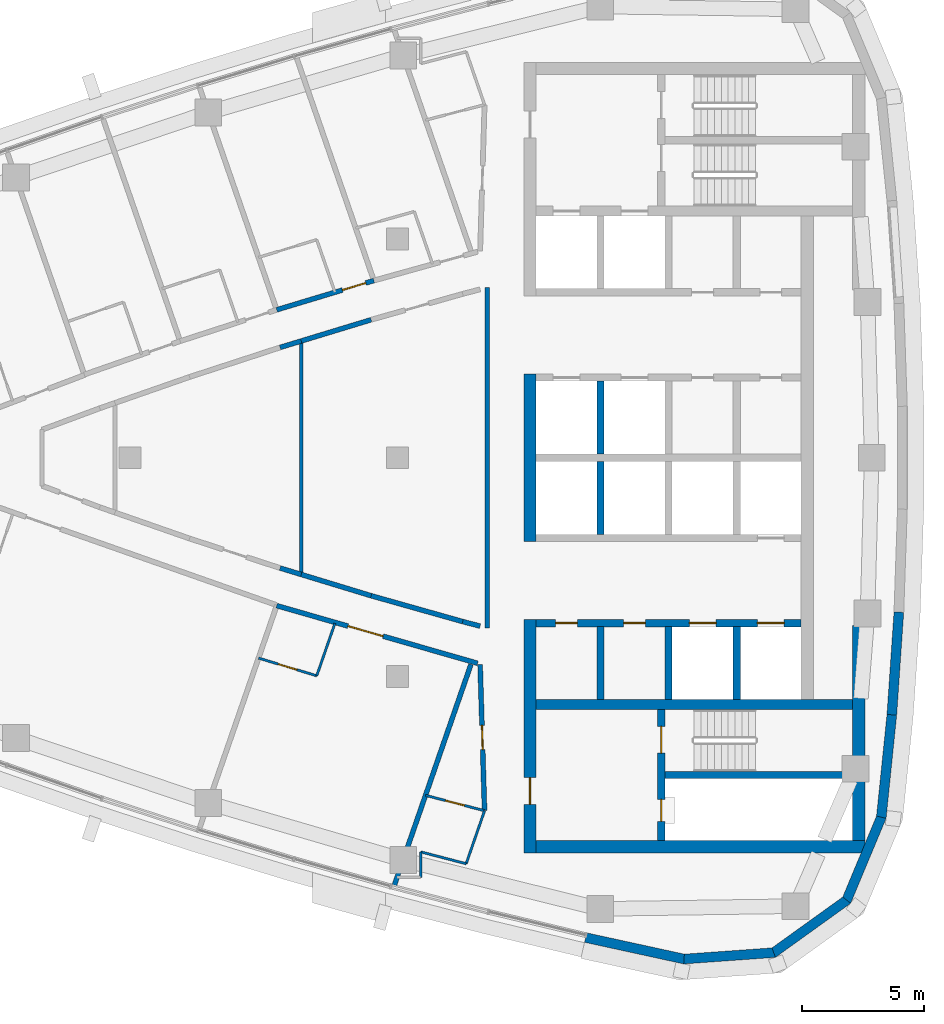
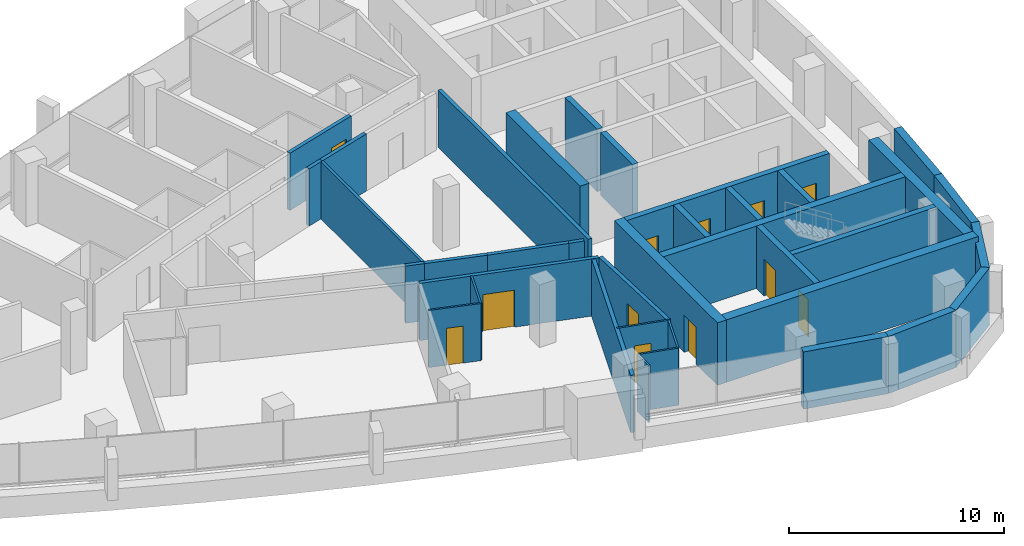
# One storey, part 8 of 14: 37 walls, 12 doors, 12 openings.
"""IFC4 building model written with IfcOpenShell, lengths in metres."""

from ifc_helpers import new_model, si_unit, direction, frame, frame_2d, origin, place, context, subcontext, project, spatial, polyline, rectangle, outline, extrude, material, layer, layer_set, type_object, element, fill, save


model = new_model("IFC4")

# Units and contexts
model_context = context("Model", 3, precision=1e-05, world=origin(), true_north=direction((0.0, 1.0)))
body_context = subcontext(model_context, "Body", "Model", "MODEL_VIEW")
ifc_project = project(units=[si_unit("LENGTHUNIT", "METRE"), si_unit("AREAUNIT", "SQUARE_METRE"), si_unit("VOLUMEUNIT", "CUBIC_METRE"), si_unit("PLANEANGLEUNIT", "RADIAN"), si_unit("MASSUNIT", "GRAM", prefix="KILO")], contexts=[model_context])

# Site, building, storey
site_placement = place(None, origin())
site = spatial("IfcSite", under=ifc_project, at=site_placement, CompositionType="ELEMENT")
building_placement = place(site_placement, origin())
building = spatial("IfcBuilding", under=site, at=building_placement, Name="Ostrand Prow Hotel Tower", CompositionType="ELEMENT")
storey_placement = place(building_placement, frame((0.0, 0.0, 285.64990234375)))
storey = spatial("IfcBuildingStorey", under=building, at=storey_placement, Name="L72", CompositionType="ELEMENT", Elevation=285.64990234375)

# Wall
ifc_material_1 = material(Name="Concrete C50/60", Category="concrete")
ifc_layer_1 = layer(ifc_material_1, 0.300048828125)
ifc_layer_set_1 = layer_set([ifc_layer_1], Name="Concrete C50/60")
wall_type_1 = type_object("IfcWallType", Name="Core wall 300 C50/60", PredefinedType="SHEAR", material=ifc_layer_set_1)
wall_1_placement = place(storey_placement, frame((53.35009765625, 0.14990234375, 0.0), z_axis=(0.0, 0.0, 1.0), x_axis=(0.0, 1.0, 0.0)))
element("IfcWall", 1, at=wall_1_placement, inside=storey, type_object=wall_type_1, Name="Core wall PW-R1-NB", PredefinedType="SHEAR", context=body_context, shape_type="SweptSolid", body=[
    extrude(rectangle(XDim=3.0, YDim=0.300048828125, at=frame_2d((1.5, 0.0))), origin(), (0.0, 0.0, 1.0), 3.550048828125),
])

# Wall, openings, doors
wall_2_placement = place(storey_placement, frame((50.699951171875, -6.800048828125, 0.0), z_axis=(0.0, 0.0, 1.0), x_axis=(1.0, 0.0, 0.0)))
wall_2 = element("IfcWall", 2, at=wall_2_placement, inside=storey, type_object=wall_type_1, Name="Core wall PW-L2-S", PredefinedType="SHEAR", context=body_context, shape_type="SweptSolid", body=[
    extrude(rectangle(XDim=10.900146484375, YDim=0.300048828125, at=frame_2d((5.4501953125, 0.0))), origin(), (0.0, 0.0, 1.0), 3.550048828125),
])
opening_1_placement = place(wall_2_placement, frame((6.300048828125, 0.0, 0.0)))
opening_1 = element("IfcOpeningElement", 3, at=opening_1_placement, cuts=wall_2, Name="Opening LD", PredefinedType="OPENING", context=body_context, shape_type="SweptSolid", body=[
    extrude(rectangle(XDim=1.10009765625, YDim=2.10009765625, at=frame_2d((0.550048828125, 1.050048828125))), frame((0.0, 0.159912109375, 0.0), z_axis=(0.0, -1.0, 0.0), x_axis=(1.0, 0.0, 0.0)), (0.0, 0.0, 1.0), 0.320068359375),
])
opening_2_placement = place(wall_2_placement, frame((9.10009765625, 0.0, 0.0)))
opening_2 = element("IfcOpeningElement", 4, at=opening_2_placement, cuts=wall_2, Name="Opening LD", PredefinedType="OPENING", context=body_context, shape_type="SweptSolid", body=[
    extrude(rectangle(XDim=1.10009765625, YDim=2.10009765625, at=frame_2d((0.550048828125, 1.050048828125))), frame((0.0, 0.159912109375, 0.0), z_axis=(0.0, -1.0, 0.0), x_axis=(1.0, 0.0, 0.0)), (0.0, 0.0, 1.0), 0.320068359375),
])
opening_3_placement = place(wall_2_placement, frame((0.800048828125, 0.0, 0.0)))
opening_3 = element("IfcOpeningElement", 5, at=opening_3_placement, cuts=wall_2, Name="Opening FD2", PredefinedType="OPENING", context=body_context, shape_type="SweptSolid", body=[
    extrude(rectangle(XDim=0.89990234375, YDim=2.10009765625, at=frame_2d((0.449951171875, 1.050048828125))), frame((0.0, 0.159912109375, 0.0), z_axis=(0.0, -1.0, 0.0), x_axis=(1.0, 0.0, 0.0)), (0.0, 0.0, 1.0), 0.320068359375),
])
opening_4_placement = place(wall_2_placement, frame((3.60009765625, 0.0, 0.0)))
opening_4 = element("IfcOpeningElement", 6, at=opening_4_placement, cuts=wall_2, Name="Opening FD2", PredefinedType="OPENING", context=body_context, shape_type="SweptSolid", body=[
    extrude(rectangle(XDim=0.89990234375, YDim=2.10009765625, at=frame_2d((0.449951171875, 1.050048828125))), frame((0.0, 0.159912109375, 0.0), z_axis=(0.0, -1.0, 0.0), x_axis=(1.0, 0.0, 0.0)), (0.0, 0.0, 1.0), 0.320068359375),
])
ifc_material_2 = material(Name="Steel fire door", Category="steel")
door_type_1 = type_object("IfcDoorType", Name="Fire door 900 EI120", OperationType="SINGLE_SWING_LEFT", PredefinedType="DOOR", material=ifc_material_2)
door_1_placement = place(opening_3_placement, origin())
door_1 = element("IfcDoor", 7, at=door_1_placement, inside=storey, type_object=door_type_1, Name="DOOR", OperationType="SINGLE_SWING_LEFT", OverallHeight=2.10009765625, OverallWidth=0.89990234375, PredefinedType="DOOR", context=body_context, shape_type="SweptSolid", body=[
    extrude(rectangle(XDim=0.89990234375, YDim=2.10009765625, at=frame_2d((0.449951171875, 1.050048828125))), frame((0.0, 0.02490234375, 0.0), z_axis=(0.0, -1.0, 0.0), x_axis=(1.0, 0.0, 0.0)), (0.0, 0.0, 1.0), 0.050048828125),
])
fill(opening_3, door_1)
door_2_placement = place(opening_4_placement, origin())
door_2 = element("IfcDoor", 8, at=door_2_placement, inside=storey, type_object=door_type_1, Name="DOOR", OperationType="SINGLE_SWING_LEFT", OverallHeight=2.10009765625, OverallWidth=0.89990234375, PredefinedType="DOOR", context=body_context, shape_type="SweptSolid", body=[
    extrude(rectangle(XDim=0.89990234375, YDim=2.10009765625, at=frame_2d((0.449951171875, 1.050048828125))), frame((0.0, 0.02490234375, 0.0), z_axis=(0.0, -1.0, 0.0), x_axis=(1.0, 0.0, 0.0)), (0.0, 0.0, 1.0), 0.050048828125),
])
fill(opening_4, door_2)
ifc_material_3 = material(Name="Stainless steel door", Category="steel")
door_type_2 = type_object("IfcDoorType", Name="Lift landing door 1100", OperationType="DOUBLE_DOOR_SLIDING", PredefinedType="DOOR", material=ifc_material_3)
door_3_placement = place(opening_1_placement, origin())
door_3 = element("IfcDoor", 9, at=door_3_placement, inside=storey, type_object=door_type_2, Name="LIFT LANDING DOOR", OperationType="DOUBLE_DOOR_SLIDING", OverallHeight=2.10009765625, OverallWidth=1.10009765625, PredefinedType="DOOR", context=body_context, shape_type="SweptSolid", body=[
    extrude(rectangle(XDim=1.10009765625, YDim=2.10009765625, at=frame_2d((0.550048828125, 1.050048828125))), frame((0.0, 0.02490234375, 0.0), z_axis=(0.0, -1.0, 0.0), x_axis=(1.0, 0.0, 0.0)), (0.0, 0.0, 1.0), 0.050048828125),
])
fill(opening_1, door_3)
door_4_placement = place(opening_2_placement, origin())
door_4 = element("IfcDoor", 10, at=door_4_placement, inside=storey, type_object=door_type_2, Name="LIFT LANDING DOOR", OperationType="DOUBLE_DOOR_SLIDING", OverallHeight=2.10009765625, OverallWidth=1.10009765625, PredefinedType="DOOR", context=body_context, shape_type="SweptSolid", body=[
    extrude(rectangle(XDim=1.10009765625, YDim=2.10009765625, at=frame_2d((0.550048828125, 1.050048828125))), frame((0.0, 0.02490234375, 0.0), z_axis=(0.0, -1.0, 0.0), x_axis=(1.0, 0.0, 0.0)), (0.0, 0.0, 1.0), 0.050048828125),
])
fill(opening_2, door_4)

# Walls
for number, where, z_axis, x_axis, name in (
    (11, (53.35009765625, -3.14990234375, 0.0), (0.0, 0.0, 1.0), (0.0, 1.0, 0.0), "Core wall PW-R1-SB"),
    (12, (53.35009765625, -9.949951171875, 0.0), (0.0, 0.0, 1.0), (0.0, 1.0, 0.0), "Core wall PW-R1-SA"),
    (13, (56.14990234375, -9.949951171875, 0.0), (0.0, 0.0, 1.0), (0.0, 1.0, 0.0), "Core wall PW-R2-SA"),
    (14, (58.949951171875, -9.949951171875, 0.0), (0.0, 0.0, 1.0), (0.0, 1.0, 0.0), "Core wall PW-R3-SA"),
):
    element("IfcWall", number, at=place(storey_placement, frame(where, z_axis=z_axis, x_axis=x_axis)), inside=storey, type_object=wall_type_1, Name=name, PredefinedType="SHEAR", context=body_context, shape_type="SweptSolid", body=[
        extrude(rectangle(XDim=3.0, YDim=0.300048828125, at=frame_2d((1.5, 0.0))), origin(), (0.0, 0.0, 1.0), 3.550048828125),
    ])

# Wall, openings, doors
wall_3_placement = place(storey_placement, frame((55.85009765625, -15.75, 0.0), z_axis=(0.0, 0.0, 1.0), x_axis=(0.0, 1.0, 0.0)))
wall_3 = element("IfcWall", 15, at=wall_3_placement, inside=storey, type_object=wall_type_1, Name="Core wall PW-VS", PredefinedType="SHEAR", context=body_context, shape_type="SweptSolid", body=[
    extrude(rectangle(XDim=5.39990234375, YDim=0.300048828125, at=frame_2d((2.699951171875, 0.0))), origin(), (0.0, 0.0, 1.0), 3.550048828125),
])
opening_5_placement = place(wall_3_placement, frame((3.60009765625, 0.0, 0.0)))
opening_5 = element("IfcOpeningElement", 16, at=opening_5_placement, cuts=wall_3, Name="Opening FD1", PredefinedType="OPENING", context=body_context, shape_type="SweptSolid", body=[
    extrude(rectangle(XDim=1.10009765625, YDim=2.10009765625, at=frame_2d((0.550048828125, 1.050048828125))), frame((0.0, 0.159912109375, 0.0), z_axis=(0.0, -1.0, 0.0), x_axis=(1.0, 0.0, 0.0)), (0.0, 0.0, 1.0), 0.320068359375),
])
opening_6_placement = place(wall_3_placement, frame((0.800048828125, 0.0, 0.0)))
opening_6 = element("IfcOpeningElement", 17, at=opening_6_placement, cuts=wall_3, Name="Opening FD2", PredefinedType="OPENING", context=body_context, shape_type="SweptSolid", body=[
    extrude(rectangle(XDim=0.89990234375, YDim=2.10009765625, at=frame_2d((0.449951171875, 1.050048828125))), frame((0.0, 0.159912109375, 0.0), z_axis=(0.0, -1.0, 0.0), x_axis=(1.0, 0.0, 0.0)), (0.0, 0.0, 1.0), 0.320068359375),
])
ifc_material_4 = material(Name="Steel fire door", Category="steel")
door_type_3 = type_object("IfcDoorType", Name="Fire door 1100 EI120", OperationType="SINGLE_SWING_RIGHT", PredefinedType="DOOR", material=ifc_material_4)
door_5_placement = place(opening_5_placement, origin())
door_5 = element("IfcDoor", 18, at=door_5_placement, inside=storey, type_object=door_type_3, Name="FIRE DOOR", OperationType="SINGLE_SWING_RIGHT", OverallHeight=2.10009765625, OverallWidth=1.10009765625, PredefinedType="DOOR", context=body_context, shape_type="SweptSolid", body=[
    extrude(rectangle(XDim=1.10009765625, YDim=2.10009765625, at=frame_2d((0.550048828125, 1.050048828125))), frame((0.0, 0.02490234375, 0.0), z_axis=(0.0, -1.0, 0.0), x_axis=(1.0, 0.0, 0.0)), (0.0, 0.0, 1.0), 0.050048828125),
])
fill(opening_5, door_5)
door_6_placement = place(opening_6_placement, origin())
door_6 = element("IfcDoor", 19, at=door_6_placement, inside=storey, type_object=door_type_1, Name="FIRE DOOR", OperationType="SINGLE_SWING_LEFT", OverallHeight=2.10009765625, OverallWidth=0.89990234375, PredefinedType="DOOR", context=body_context, shape_type="SweptSolid", body=[
    extrude(rectangle(XDim=0.89990234375, YDim=2.10009765625, at=frame_2d((0.449951171875, 1.050048828125))), frame((0.0, 0.02490234375, 0.0), z_axis=(0.0, -1.0, 0.0), x_axis=(1.0, 0.0, 0.0)), (0.0, 0.0, 1.0), 0.050048828125),
])
fill(opening_6, door_6)

# Walls
wall_4_placement = place(storey_placement, frame((56.0, -13.050048828125, 0.0), z_axis=(0.0, 0.0, 1.0), x_axis=(1.0, 0.0, 0.0)))
element("IfcWall", 20, at=wall_4_placement, inside=storey, type_object=wall_type_1, Name="Core wall PW-ST2R", PredefinedType="SHEAR", context=body_context, shape_type="SweptSolid", body=[
    extrude(rectangle(XDim=7.719970703125, YDim=0.300048828125, at=frame_2d((3.85986328125, 0.0))), origin(), (0.0, 0.0, 1.0), 3.550048828125),
])
ifc_material_5 = material(Name="Concrete C50/60", Category="concrete")
ifc_layer_2 = layer(ifc_material_5, 0.39990234375)
ifc_layer_set_2 = layer_set([ifc_layer_2], Name="Concrete C50/60")
wall_type_2 = type_object("IfcWallType", Name="Core wall 400 C50/60", PredefinedType="SHEAR", material=ifc_layer_set_2)
wall_5_placement = place(storey_placement, frame((50.699951171875, -10.14990234375, 0.0), z_axis=(0.0, 0.0, 1.0), x_axis=(1.0, 0.0, 0.0)))
element("IfcWall", 21, at=wall_5_placement, inside=storey, type_object=wall_type_2, Name="Core wall PW-BS", PredefinedType="SHEAR", context=body_context, shape_type="SweptSolid", body=[
    extrude(rectangle(XDim=13.02001953125, YDim=0.39990234375, at=frame_2d((6.510009765625, 0.0))), origin(), (0.0, 0.0, 1.0), 3.550048828125),
])
ifc_material_6 = material(Name="Concrete C50/60", Category="concrete")
ifc_layer_3 = layer(ifc_material_6, 0.5)
ifc_layer_set_3 = layer_set([ifc_layer_3], Name="Concrete C50/60")
wall_type_3 = type_object("IfcWallType", Name="Core wall 500 C50/60", PredefinedType="SHEAR", material=ifc_layer_set_3)
wall_6_placement = place(storey_placement, frame((50.449951171875, -3.449951171875, 0.0), z_axis=(0.0, 0.0, 1.0), x_axis=(0.0, 1.0, 0.0)))
element("IfcWall", 22, at=wall_6_placement, inside=storey, type_object=wall_type_3, Name="Core wall CW-W-C", PredefinedType="SHEAR", context=body_context, shape_type="SweptSolid", body=[
    extrude(rectangle(XDim=6.89990234375, YDim=0.5, at=frame_2d((3.449951171875, 0.0))), origin(), (0.0, 0.0, 1.0), 3.550048828125),
])

# Wall, opening, door
wall_7_placement = place(storey_placement, frame((50.449951171875, -16.25, 0.0), z_axis=(0.0, 0.0, 1.0), x_axis=(0.0, 1.0, 0.0)))
wall_7 = element("IfcWall", 23, at=wall_7_placement, inside=storey, type_object=wall_type_3, Name="Core wall CW-W-S", PredefinedType="SHEAR", context=body_context, shape_type="SweptSolid", body=[
    extrude(rectangle(XDim=9.60009765625, YDim=0.5, at=frame_2d((4.800048828125, 0.0))), origin(), (0.0, 0.0, 1.0), 3.550048828125),
])
opening_7_placement = place(wall_7_placement, frame((2.0, 0.0, 0.0)))
opening_7 = element("IfcOpeningElement", 24, at=opening_7_placement, cuts=wall_7, Name="Opening FD1", PredefinedType="OPENING", context=body_context, shape_type="SweptSolid", body=[
    extrude(rectangle(XDim=1.10009765625, YDim=2.10009765625, at=frame_2d((0.550048828125, 1.050048828125))), frame((0.0, 0.260009765625, 0.0), z_axis=(0.0, -1.0, 0.0), x_axis=(1.0, 0.0, 0.0)), (0.0, 0.0, 1.0), 0.52001953125),
])
door_7_placement = place(opening_7_placement, origin())
door_7 = element("IfcDoor", 25, at=door_7_placement, inside=storey, type_object=door_type_3, Name="FIRE DOOR", OperationType="SINGLE_SWING_RIGHT", OverallHeight=2.10009765625, OverallWidth=1.10009765625, PredefinedType="DOOR", context=body_context, shape_type="SweptSolid", body=[
    extrude(rectangle(XDim=1.10009765625, YDim=2.10009765625, at=frame_2d((0.550048828125, 1.050048828125))), frame((0.0, 0.02490234375, 0.0), z_axis=(0.0, -1.0, 0.0), x_axis=(1.0, 0.0, 0.0)), (0.0, 0.0, 1.0), 0.050048828125),
])
fill(opening_7, door_7)

# Walls
wall_8_placement = place(storey_placement, frame((50.699951171875, -16.0, 0.0), z_axis=(0.0, 0.0, 1.0), x_axis=(1.0, 0.0, 0.0)))
element("IfcWall", 26, at=wall_8_placement, inside=storey, type_object=wall_type_3, Name="Core wall CW-S", PredefinedType="SHEAR", context=body_context, shape_type="SweptSolid", body=[
    extrude(rectangle(XDim=13.52001953125, YDim=0.5, at=frame_2d((6.760009765625, 0.0))), origin(), (0.0, 0.0, 1.0), 3.550048828125),
])
wall_9_placement = place(storey_placement, frame((63.969970703125, -15.75, 0.0), z_axis=(0.0, 0.0, 1.0), x_axis=(0.0, 1.0, 0.0)))
element("IfcWall", 27, at=wall_9_placement, inside=storey, type_object=wall_type_3, Name="Core wall CW-E-S", PredefinedType="SHEAR", context=body_context, shape_type="SweptSolid", body=[
    extrude(rectangle(XDim=8.8466796875, YDim=0.5, at=frame_2d((4.42333984375, 0.0))), origin(), (0.0, 0.0, 1.0), 3.550048828125),
])
ifc_material_7 = material(Name="Plasterboard partition")
ifc_layer_4 = layer(ifc_material_7, 0.10009765625)
ifc_layer_set_4 = layer_set([ifc_layer_4], Name="Plasterboard partition")
wall_type_4 = type_object("IfcWallType", Name="Partition 100 bathroom wall", PredefinedType="PARTITIONING", material=ifc_layer_set_4)
wall_10_placement = place(storey_placement, frame((42.42822265625, -6.813232421875, 0.0), z_axis=(0.0, 0.0, 1.0), x_axis=(-0.327743427431, -0.944766767925, 0.0)))
element("IfcWall", 28, at=wall_10_placement, inside=storey, type_object=wall_type_4, Name="BATHROOM WALL", PredefinedType="PARTITIONING", context=body_context, shape_type="SweptSolid", body=[
    extrude(rectangle(XDim=2.27880859375, YDim=0.10009765625, at=frame_2d((1.139404296875, 0.0))), origin(), (0.0, 0.0, 1.0), 3.25),
])

# Wall, opening, door
wall_11_placement = place(storey_placement, frame((41.681396484375, -8.96630859375, 0.0), z_axis=(0.0, 0.0, 1.0), x_axis=(-0.956723503196, 0.290998519638, 0.0)))
wall_11 = element("IfcWall", 29, at=wall_11_placement, inside=storey, type_object=wall_type_4, Name="BATHROOM WALL", PredefinedType="PARTITIONING", context=body_context, shape_type="SweptSolid", body=[
    extrude(rectangle(XDim=2.501708984375, YDim=0.10009765625, at=frame_2d((1.2509765625, 0.0))), origin(), (0.0, 0.0, 1.0), 3.25),
])
opening_8_placement = place(wall_11_placement, frame((0.85009765625, 0.0, 0.0)))
opening_8 = element("IfcOpeningElement", 30, at=opening_8_placement, cuts=wall_11, Name="Opening D2", PredefinedType="OPENING", context=body_context, shape_type="SweptSolid", body=[
    extrude(rectangle(XDim=0.800048828125, YDim=2.10009765625, at=frame_2d((0.39990234375, 1.050048828125))), frame((0.0, 0.06005859375, 0.0), z_axis=(0.0, -1.0, 0.0), x_axis=(1.0, 0.0, 0.0)), (0.0, 0.0, 1.0), 0.1201171875),
])
ifc_material_8 = material(Name="Timber door leaf", Category="wood")
door_type_4 = type_object("IfcDoorType", Name="Bathroom door 800", OperationType="SINGLE_SWING_LEFT", PredefinedType="DOOR", material=ifc_material_8)
door_8_placement = place(opening_8_placement, origin())
door_8 = element("IfcDoor", 31, at=door_8_placement, inside=storey, type_object=door_type_4, Name="DOOR", OperationType="SINGLE_SWING_LEFT", OverallHeight=2.10009765625, OverallWidth=0.800048828125, PredefinedType="DOOR", context=body_context, shape_type="SweptSolid", body=[
    extrude(rectangle(XDim=0.800048828125, YDim=2.10009765625, at=frame_2d((0.39990234375, 1.050048828125))), frame((0.0, 0.02490234375, 0.0), z_axis=(0.0, -1.0, 0.0), x_axis=(1.0, 0.0, 0.0)), (0.0, 0.0, 1.0), 0.050048828125),
])
fill(opening_8, door_8)

# Wall
wall_12_placement = place(storey_placement, frame((45.95458984375, -16.20751953125, 0.0), z_axis=(0.0, 0.0, 1.0), x_axis=(0.0, -1.0, 0.0)))
element("IfcWall", 32, at=wall_12_placement, inside=storey, type_object=wall_type_4, Name="BATHROOM WALL", PredefinedType="PARTITIONING", context=body_context, shape_type="SweptSolid", body=[
    extrude(rectangle(XDim=1.051025390625, YDim=0.10009765625, at=frame_2d((0.525390625, 0.0))), origin(), (0.0, 0.0, 1.0), 3.25),
])

# Wall, opening, door
wall_13_placement = place(storey_placement, frame((46.15576171875, -13.883056640625, 0.0), z_axis=(0.0, 0.0, 1.0), x_axis=(0.967665843663, -0.252235633897, 0.0)))
wall_13 = element("IfcWall", 33, at=wall_13_placement, inside=storey, type_object=wall_type_4, Name="BATHROOM WALL", PredefinedType="PARTITIONING", context=body_context, shape_type="SweptSolid", body=[
    extrude(rectangle(XDim=2.5078125, YDim=0.10009765625, at=frame_2d((1.25390625, 0.0))), origin(), (0.0, 0.0, 1.0), 3.25),
])
opening_9_placement = place(wall_13_placement, frame((0.85009765625, 0.0, 0.0)))
opening_9 = element("IfcOpeningElement", 34, at=opening_9_placement, cuts=wall_13, Name="Opening D2", PredefinedType="OPENING", context=body_context, shape_type="SweptSolid", body=[
    extrude(rectangle(XDim=0.800048828125, YDim=2.10009765625, at=frame_2d((0.39990234375, 1.050048828125))), frame((0.0, 0.06005859375, 0.0), z_axis=(0.0, -1.0, 0.0), x_axis=(1.0, 0.0, 0.0)), (0.0, 0.0, 1.0), 0.1201171875),
])
door_9_placement = place(opening_9_placement, origin())
door_9 = element("IfcDoor", 35, at=door_9_placement, inside=storey, type_object=door_type_4, Name="DOOR", OperationType="SINGLE_SWING_LEFT", OverallHeight=2.10009765625, OverallWidth=0.800048828125, PredefinedType="DOOR", context=body_context, shape_type="SweptSolid", body=[
    extrude(rectangle(XDim=0.800048828125, YDim=2.10009765625, at=frame_2d((0.39990234375, 1.050048828125))), frame((0.0, 0.02490234375, 0.0), z_axis=(0.0, -1.0, 0.0), x_axis=(1.0, 0.0, 0.0)), (0.0, 0.0, 1.0), 0.050048828125),
])
fill(opening_9, door_9)

# Walls
wall_14_placement = place(storey_placement, frame((48.58251953125, -14.515625, 0.0), z_axis=(0.0, 0.0, 1.0), x_axis=(-0.327695604762, -0.944783356447, 0.0)))
element("IfcWall", 36, at=wall_14_placement, inside=storey, type_object=wall_type_4, Name="BATHROOM WALL", PredefinedType="PARTITIONING", context=body_context, shape_type="SweptSolid", body=[
    extrude(rectangle(XDim=2.307373046875, YDim=0.10009765625, at=frame_2d((1.15380859375, 0.0))), origin(), (0.0, 0.0, 1.0), 3.25),
])
wall_15_placement = place(storey_placement, frame((47.826416015625, -16.695556640625, 0.0), z_axis=(0.0, 0.0, 1.0), x_axis=(-0.967650770907, 0.25229345129, 0.0)))
element("IfcWall", 37, at=wall_15_placement, inside=storey, type_object=wall_type_4, Name="BATHROOM WALL", PredefinedType="PARTITIONING", context=body_context, shape_type="SweptSolid", body=[
    extrude(rectangle(XDim=1.934326171875, YDim=0.10009765625, at=frame_2d((0.96728515625, 0.0))), origin(), (0.0, 0.0, 1.0), 3.25),
])
ifc_material_9 = material(Name="Plasterboard partition")
ifc_layer_5 = layer(ifc_material_9, 0.14990234375)
ifc_layer_set_5 = layer_set([ifc_layer_5], Name="Plasterboard partition")
wall_type_5 = type_object("IfcWallType", Name="Partition 150 room partition", PredefinedType="PARTITIONING", material=ifc_layer_set_5)
wall_16_placement = place(storey_placement, frame((41.042724609375, -4.800048828125, 0.0), z_axis=(0.0, 0.0, 1.0), x_axis=(0.0, 1.0, 0.0)))
element("IfcWall", 38, at=wall_16_placement, inside=storey, type_object=wall_type_5, Name="ROOM PARTITION", PredefinedType="PARTITIONING", context=body_context, shape_type="SweptSolid", body=[
    extrude(rectangle(XDim=9.60009765625, YDim=0.14990234375, at=frame_2d((4.800048828125, 0.0))), origin(), (0.0, 0.0, 1.0), 3.25),
])

# Wall, opening, door
ifc_material_10 = material(Name="Plasterboard partition")
ifc_layer_6 = layer(ifc_material_10, 0.199951171875)
ifc_layer_set_6 = layer_set([ifc_layer_6], Name="Plasterboard partition")
wall_type_6 = type_object("IfcWallType", Name="Partition 200 corridor wall", PredefinedType="PARTITIONING", material=ifc_layer_set_6)
wall_17_placement = place(storey_placement, frame((44.03125, 7.285888671875, 0.0), z_axis=(0.0, 0.0, 1.0), x_axis=(-0.957521424208, -0.288362137222, 0.0)))
wall_17 = element("IfcWall", 39, at=wall_17_placement, inside=storey, type_object=wall_type_6, Name="CORRIDOR WALL", PredefinedType="PARTITIONING", context=body_context, shape_type="SweptSolid", body=[
    extrude(rectangle(XDim=4.173095703125, YDim=0.199951171875, at=frame_2d((2.08642578125, 0.0))), origin(), (0.0, 0.0, 1.0), 3.25),
])
opening_10_placement = place(wall_17_placement, frame((0.35009765625, 0.0, 0.0)))
opening_10 = element("IfcOpeningElement", 40, at=opening_10_placement, cuts=wall_17, Name="Opening D1R", PredefinedType="OPENING", context=body_context, shape_type="SweptSolid", body=[
    extrude(rectangle(XDim=1.0, YDim=2.10009765625, at=frame_2d((0.5, 1.050048828125))), frame((0.0, 0.10986328125, 0.0), z_axis=(0.0, -1.0, 0.0), x_axis=(1.0, 0.0, 0.0)), (0.0, 0.0, 1.0), 0.219970703125),
])
ifc_material_11 = material(Name="Timber door leaf", Category="wood")
door_type_5 = type_object("IfcDoorType", Name="Guest room door 1000 right", OperationType="SINGLE_SWING_RIGHT", PredefinedType="DOOR", material=ifc_material_11)
door_10_placement = place(opening_10_placement, origin())
door_10 = element("IfcDoor", 41, at=door_10_placement, inside=storey, type_object=door_type_5, Name="DOOR", OperationType="SINGLE_SWING_RIGHT", OverallHeight=2.10009765625, OverallWidth=1.0, PredefinedType="DOOR", context=body_context, shape_type="SweptSolid", body=[
    extrude(rectangle(XDim=1.0, YDim=2.10009765625, at=frame_2d((0.5, 1.050048828125))), frame((0.0, 0.02490234375, 0.0), z_axis=(0.0, -1.0, 0.0), x_axis=(1.0, 0.0, 0.0)), (0.0, 0.0, 1.0), 0.050048828125),
])
fill(opening_10, door_10)

wall_18_placement = place(storey_placement, frame((40.035400390625, -6.08251953125, 0.0), z_axis=(0.0, 0.0, 1.0), x_axis=(0.961195333593, -0.275868683759, 0.0)))
wall_18 = element("IfcWall", 42, at=wall_18_placement, inside=storey, type_object=wall_type_6, Name="CORRIDOR WALL", PredefinedType="PARTITIONING", context=body_context, shape_type="SweptSolid", body=[
    extrude(rectangle(XDim=8.5966796875, YDim=0.199951171875, at=frame_2d((4.29833984375, 0.0))), origin(), (0.0, 0.0, 1.0), 3.25),
])
opening_11_placement = place(wall_18_placement, frame((3.050048828125, 0.0, 0.0)))
opening_11 = element("IfcOpeningElement", 43, at=opening_11_placement, cuts=wall_18, Name="Opening D15", PredefinedType="OPENING", context=body_context, shape_type="SweptSolid", body=[
    extrude(rectangle(XDim=1.5, YDim=2.10009765625, at=frame_2d((0.75, 1.050048828125))), frame((0.0, 0.10986328125, 0.0), z_axis=(0.0, -1.0, 0.0), x_axis=(1.0, 0.0, 0.0)), (0.0, 0.0, 1.0), 0.219970703125),
])
ifc_material_12 = material(Name="Timber door leaf", Category="wood")
door_type_6 = type_object("IfcDoorType", Name="Double door 1500", OperationType="DOUBLE_DOOR_SINGLE_SWING", PredefinedType="DOOR", material=ifc_material_12)
door_11_placement = place(opening_11_placement, origin())
door_11 = element("IfcDoor", 44, at=door_11_placement, inside=storey, type_object=door_type_6, Name="DOOR", OperationType="DOUBLE_DOOR_SINGLE_SWING", OverallHeight=2.10009765625, OverallWidth=1.5, PredefinedType="DOOR", context=body_context, shape_type="SweptSolid", body=[
    extrude(rectangle(XDim=1.5, YDim=2.10009765625, at=frame_2d((0.75, 1.050048828125))), frame((0.0, 0.02490234375, 0.0), z_axis=(0.0, -1.0, 0.0), x_axis=(1.0, 0.0, 0.0)), (0.0, 0.0, 1.0), 0.050048828125),
])
fill(opening_11, door_11)

# Walls
for number, where, z_axis, x_axis, name in (
    (45, (40.1748046875, 4.5361328125, 0.0), (0.0, 0.0, 1.0), (0.956745556466, 0.290926004652, 0.0), "CORRIDOR WALL"),
    (46, (41.042724609375, -4.800048828125, 0.0), (0.0, 0.0, 1.0), (-0.956745556466, 0.290926004652, 0.0), "CORRIDOR WALL"),
):
    element("IfcWall", number, at=place(storey_placement, frame(where, z_axis=z_axis, x_axis=x_axis)), inside=storey, type_object=wall_type_6, Name=name, PredefinedType="PARTITIONING", context=body_context, shape_type="SweptSolid", body=[
        extrude(rectangle(XDim=0.9072265625, YDim=0.199951171875, at=frame_2d((0.45361328125, 0.0))), origin(), (0.0, 0.0, 1.0), 3.25),
    ])
wall_19_placement = place(storey_placement, frame((47.684326171875, -6.737548828125, 0.0), z_axis=(0.0, 0.0, 1.0), x_axis=(-0.962411212211, 0.271596499628, 0.0)))
element("IfcWall", 47, at=wall_19_placement, inside=storey, type_object=wall_type_6, Name="CORRIDOR WALL", PredefinedType="PARTITIONING", context=body_context, shape_type="SweptSolid", body=[
    extrude(rectangle(XDim=3.912841796875, YDim=0.199951171875, at=frame_2d((1.95654296875, 0.0))), origin(), (0.0, 0.0, 1.0), 3.25),
])
for number, where, z_axis, x_axis, name in (
    (48, (43.91845703125, -5.6748046875, 0.0), (0.0, 0.0, 1.0), (-0.956717150932, 0.291019403327, 0.0), "CORRIDOR WALL"),
    (49, (41.042724609375, 4.800048828125, 0.0), (0.0, 0.0, 1.0), (0.956717150932, 0.291019403327, 0.0), "CORRIDOR WALL"),
):
    element("IfcWall", number, at=place(storey_placement, frame(where, z_axis=z_axis, x_axis=x_axis)), inside=storey, type_object=wall_type_6, Name=name, PredefinedType="PARTITIONING", context=body_context, shape_type="SweptSolid", body=[
        extrude(rectangle(XDim=3.005859375, YDim=0.199951171875, at=frame_2d((1.5029296875, 0.0))), origin(), (0.0, 0.0, 1.0), 3.25),
    ])
wall_20_placement = place(storey_placement, frame((48.39990234375, -6.92431640625, 0.0), z_axis=(0.0, 0.0, 1.0), x_axis=(-0.967585713416, 0.252542842294, 0.0)))
element("IfcWall", 50, at=wall_20_placement, inside=storey, type_object=wall_type_6, Name="CORRIDOR WALL", PredefinedType="PARTITIONING", context=body_context, shape_type="SweptSolid", body=[
    extrude(rectangle(XDim=0.739501953125, YDim=0.199951171875, at=frame_2d((0.36962890625, 0.0))), origin(), (0.0, 0.0, 1.0), 3.25),
])

# Wall, opening, door
wall_21_placement = place(storey_placement, frame((48.39990234375, -8.4951171875, 0.0), z_axis=(0.0, 0.0, 1.0), x_axis=(0.030318578026, -0.999540286245, 0.0)))
wall_21 = element("IfcWall", 51, at=wall_21_placement, inside=storey, type_object=wall_type_6, Name="CORRIDOR WALL", PredefinedType="PARTITIONING", context=body_context, shape_type="SweptSolid", body=[
    extrude(rectangle(XDim=6.023193359375, YDim=0.199951171875, at=frame_2d((3.01171875, 0.0))), origin(), (0.0, 0.0, 1.0), 3.25),
])
opening_12_placement = place(wall_21_placement, frame((2.511962890625, 0.0, 0.0)))
opening_12 = element("IfcOpeningElement", 52, at=opening_12_placement, cuts=wall_21, Name="Opening D1", PredefinedType="OPENING", context=body_context, shape_type="SweptSolid", body=[
    extrude(rectangle(XDim=1.0, YDim=2.10009765625, at=frame_2d((0.5, 1.050048828125))), frame((0.0, 0.10986328125, 0.0), z_axis=(0.0, -1.0, 0.0), x_axis=(1.0, 0.0, 0.0)), (0.0, 0.0, 1.0), 0.219970703125),
])
ifc_material_13 = material(Name="Timber door leaf", Category="wood")
door_type_7 = type_object("IfcDoorType", Name="Guest room door 1000", OperationType="SINGLE_SWING_LEFT", PredefinedType="DOOR", material=ifc_material_13)
door_12_placement = place(opening_12_placement, origin())
door_12 = element("IfcDoor", 53, at=door_12_placement, inside=storey, type_object=door_type_7, Name="DOOR", OperationType="SINGLE_SWING_LEFT", OverallHeight=2.10009765625, OverallWidth=1.0, PredefinedType="DOOR", context=body_context, shape_type="SweptSolid", body=[
    extrude(rectangle(XDim=1.0, YDim=2.10009765625, at=frame_2d((0.5, 1.050048828125))), frame((0.0, 0.02490234375, 0.0), z_axis=(0.0, -1.0, 0.0), x_axis=(1.0, 0.0, 0.0)), (0.0, 0.0, 1.0), 0.050048828125),
])
fill(opening_12, door_12)

# Walls
wall_22_placement = place(storey_placement, frame((48.695068359375, 6.995849609375, 0.0), z_axis=(0.0, 0.0, 1.0), x_axis=(0.0, -1.0, 0.0)))
element("IfcWall", 54, at=wall_22_placement, inside=storey, type_object=wall_type_6, Name="CORRIDOR WALL", PredefinedType="PARTITIONING", context=body_context, shape_type="SweptSolid", body=[
    extrude(rectangle(XDim=13.99169921875, YDim=0.199951171875, at=frame_2d((6.995849609375, 0.0))), origin(), (0.0, 0.0, 1.0), 3.25),
])
ifc_material_14 = material(Name="Plasterboard partition")
ifc_layer_7 = layer(ifc_material_14, 0.199951171875)
ifc_layer_set_7 = layer_set([ifc_layer_7], Name="Plasterboard partition")
wall_type_7 = type_object("IfcWallType", Name="Partition 200 key partition", PredefinedType="PARTITIONING", material=ifc_layer_set_7)
wall_23_placement = place(storey_placement, frame((44.873779296875, -17.5791015625, 0.0), z_axis=(0.0, 0.0, 1.0), x_axis=(0.327705598625, 0.944779890043, 0.0)))
element("IfcWall", 55, at=wall_23_placement, inside=storey, type_object=wall_type_7, Name="KEY PARTITION", PredefinedType="PARTITIONING", context=body_context, shape_type="SweptSolid", body=[
    extrude(rectangle(XDim=9.60986328125, YDim=0.199951171875, at=frame_2d((4.804931640625, 0.0))), origin(), (0.0, 0.0, 1.0), 3.25),
])
ifc_material_15 = material(Name="Precast concrete C40/50", Category="concrete")
ifc_layer_8 = layer(ifc_material_15, 0.39990234375)
ifc_layer_set_8 = layer_set([ifc_layer_8], Name="Precast concrete C40/50")
wall_type_8 = type_object("IfcWallType", Name="Stone-faced precast wall 400 mm", PredefinedType="NOTDEFINED", material=ifc_layer_set_8)
wall_24_placement = place(storey_placement, frame((52.73828125, -19.73193359375, 0.0), z_axis=(0.0, 0.0, 1.0), x_axis=(0.977020225348, -0.213146614471, 0.0)))
element("IfcWall", 56, at=wall_24_placement, inside=storey, type_object=wall_type_8, Name="Stone-faced wall back 1", PredefinedType="NOTDEFINED", context=body_context, shape_type="SweptSolid", body=[
    extrude(outline(polyline([(0.0, -0.199951171875), (4.170654296875, -0.199951171875), (4.113037109375, 0.199951171875), (0.0, 0.199951171875), (0.0, -0.199951171875)])), origin(), (0.0, 0.0, 1.0), 3.25),
])
wall_25_placement = place(storey_placement, frame((56.784912109375, -20.61474609375, 0.0), z_axis=(0.0, 0.0, 1.0), x_axis=(0.99746272096, 0.071190731806, 0.0)))
element("IfcWall", 57, at=wall_25_placement, inside=storey, type_object=wall_type_8, Name="Stone-faced wall back 2", PredefinedType="NOTDEFINED", context=body_context, shape_type="SweptSolid", body=[
    extrude(outline(polyline([(-0.02880859375, -0.199951171875), (3.75341796875, -0.199951171875), (3.64013671875, 0.199951171875), (0.02880859375, 0.199951171875), (-0.02880859375, -0.199951171875)])), origin(), (0.0, 0.0, 1.0), 3.25),
])
wall_26_placement = place(storey_placement, frame((60.472412109375, -20.3515625, 0.0), z_axis=(0.0, 0.0, 1.0), x_axis=(0.811962548682, 0.583709533533, 0.0)))
element("IfcWall", 58, at=wall_26_placement, inside=storey, type_object=wall_type_8, Name="Stone-faced wall back 3", PredefinedType="NOTDEFINED", context=body_context, shape_type="SweptSolid", body=[
    extrude(outline(polyline([(-0.056640625, -0.199951171875), (3.753173828125, -0.199951171875), (3.639892578125, 0.199951171875), (0.056640625, 0.199951171875), (-0.056640625, -0.199951171875)])), origin(), (0.0, 0.0, 1.0), 3.25),
])
wall_27_placement = place(storey_placement, frame((63.473876953125, -18.19384765625, 0.0), z_axis=(0.0, 0.0, 1.0), x_axis=(0.385285857918, 0.922797273343, 0.0)))
element("IfcWall", 59, at=wall_27_placement, inside=storey, type_object=wall_type_8, Name="Stone-faced wall back 4", PredefinedType="NOTDEFINED", context=body_context, shape_type="SweptSolid", body=[
    extrude(outline(polyline([(-0.056640625, -0.199951171875), (3.726318359375, -0.199951171875), (3.667236328125, 0.199951171875), (0.056640625, 0.199951171875), (-0.056640625, -0.199951171875)])), origin(), (0.0, 0.0, 1.0), 3.25),
])
wall_28_placement = place(storey_placement, frame((64.898193359375, -14.782470703125, 0.0), z_axis=(0.0, 0.0, 1.0), x_axis=(0.102249826987, 0.994758751096, 0.0)))
element("IfcWall", 60, at=wall_28_placement, inside=storey, type_object=wall_type_8, Name="Stone-faced wall back 5", PredefinedType="NOTDEFINED", context=body_context, shape_type="SweptSolid", body=[
    extrude(outline(polyline([(-0.029541015625, -0.199951171875), (4.23681640625, -0.199951171875), (4.22998046875, 0.199951171875), (0.029541015625, 0.199951171875), (-0.029541015625, -0.199951171875)])), origin(), (0.0, 0.0, 1.0), 3.25),
])
wall_29_placement = place(storey_placement, frame((65.3310546875, -10.5712890625, 0.0), z_axis=(0.0, 0.0, 1.0), x_axis=(0.068279584479, 0.997666225921, 0.0)))
element("IfcWall", 61, at=wall_29_placement, inside=storey, type_object=wall_type_8, Name="Stone-faced wall back 6", PredefinedType="NOTDEFINED", context=body_context, shape_type="SweptSolid", body=[
    extrude(outline(polyline([(-0.00341796875, -0.199951171875), (4.23681640625, -0.199951171875), (4.22998046875, 0.199951171875), (0.00341796875, 0.199951171875), (-0.00341796875, -0.199951171875)])), origin(), (0.0, 0.0, 1.0), 3.25),
])

save(model, "model.ifc")
